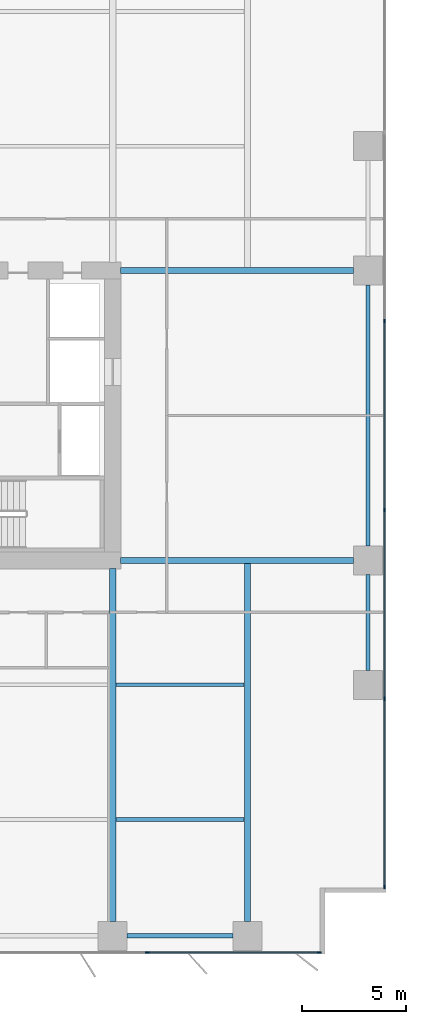
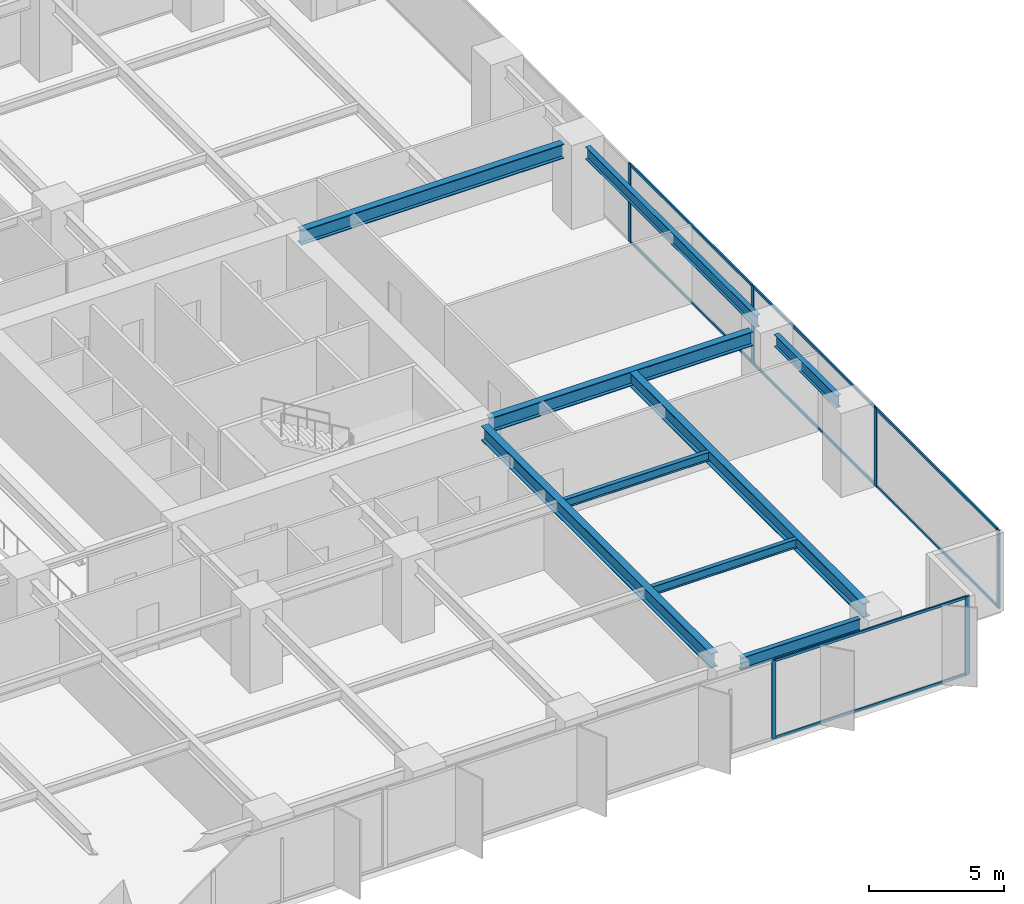
# One storey, part 10 of 20: 14 members, 9 beams, 2 elements without a shape of their own.
"""IFC4 building model written with IfcOpenShell, lengths in metres."""

from ifc_helpers import new_model, si_unit, direction, frame, origin, origin_2d, place, context, subcontext, project, spatial, rectangle, i_section, extrude, material, layer, layer_set, material_profile, profile_set, type_object, element, aggregate, save


model = new_model("IFC4")

# Units and contexts
model_context = context("Model", 3, precision=1e-05, world=origin(), true_north=direction((0.0, 1.0)))
body_context = subcontext(model_context, "Body", "Model", "MODEL_VIEW")
ifc_project = project(units=[si_unit("LENGTHUNIT", "METRE"), si_unit("AREAUNIT", "SQUARE_METRE"), si_unit("VOLUMEUNIT", "CUBIC_METRE"), si_unit("PLANEANGLEUNIT", "RADIAN"), si_unit("MASSUNIT", "GRAM", prefix="KILO")], contexts=[model_context])

# Site, building, storey
site_placement = place(None, origin())
site = spatial("IfcSite", under=ifc_project, at=site_placement, CompositionType="ELEMENT")
building_placement = place(site_placement, origin())
building = spatial("IfcBuilding", under=site, at=building_placement, Name="Putna Gate Headquarters", CompositionType="ELEMENT")
storey_placement = place(building_placement, frame((0.0, 0.0, 62.0)))
storey = spatial("IfcBuildingStorey", under=building, at=storey_placement, Name="L14", CompositionType="ELEMENT", Elevation=62.0)

# Beams
ifc_material_1 = material(Name="Steel S355J2", Category="steel")
ifc_material_profile_1 = material_profile(ifc_material_1, i_section(OverallWidth=0.300048828125, OverallDepth=0.64990234375, WebThickness=0.01611328125, FlangeThickness=0.031005859375, at=origin_2d()), Name="Steel S355J2")
ifc_profile_set_1 = profile_set([ifc_material_profile_1], Name="Steel S355J2")
beam_type_1 = type_object("IfcBeamType", Name="BM-GIRD-Z1-HEB650", PredefinedType="USERDEFINED", material=ifc_profile_set_1)
for number, where, z_axis, x_axis, name in (
    (1, (65.385009765625, 19.0, 3.22509765625), (1.0, 0.0, 0.0), (0.0, 1.0, 0.0), "L14 East Wing Girder Y19"),
    (2, (65.385009765625, 33.0, 3.22509765625), (1.0, 0.0, 0.0), (0.0, 1.0, 0.0), "L14 East Wing Girder Y33"),
):
    element("IfcBeam", number, at=place(storey_placement, frame(where, z_axis=z_axis, x_axis=x_axis)), inside=storey, type_object=beam_type_1, Name=name, ObjectType="GIRDER", PredefinedType="USERDEFINED", context=body_context, shape_type="SweptSolid", body=[
        extrude(i_section(OverallWidth=0.300048828125, OverallDepth=0.64990234375, WebThickness=0.01611328125, FlangeThickness=0.031005859375, at=origin_2d()), origin(), (0.0, 0.0, 1.0), 11.2470703125),
    ])
beam_1_placement = place(storey_placement, frame((65.0, 1.568115234375, 3.22509765625), z_axis=(0.0, 1.0, 0.0), x_axis=(-1.0, 0.0, 0.0)))
element("IfcBeam", 3, at=beam_1_placement, inside=storey, type_object=beam_type_1, Name="L14 South Primary Girder X65", ObjectType="GIRDER", PredefinedType="USERDEFINED", context=body_context, shape_type="SweptSolid", body=[
    extrude(i_section(OverallWidth=0.300048828125, OverallDepth=0.64990234375, WebThickness=0.01611328125, FlangeThickness=0.031005859375, at=origin_2d()), origin(), (0.0, 0.0, 1.0), 17.046875),
])
beam_2_placement = place(storey_placement, frame((71.5, 1.568115234375, 3.22509765625), z_axis=(0.0, 1.0, 0.0), x_axis=(-1.0, 0.0, 0.0)))
element("IfcBeam", 4, at=beam_2_placement, inside=storey, type_object=beam_type_1, Name="L14 South Primary Girder X71", ObjectType="GIRDER", PredefinedType="USERDEFINED", context=body_context, shape_type="SweptSolid", body=[
    extrude(i_section(OverallWidth=0.300048828125, OverallDepth=0.64990234375, WebThickness=0.01611328125, FlangeThickness=0.031005859375, at=origin_2d()), origin(), (0.0, 0.0, 1.0), 17.419921875),
])
ifc_material_profile_2 = material_profile(ifc_material_1, i_section(OverallWidth=0.179931640625, OverallDepth=0.39990234375, WebThickness=0.008544921875, FlangeThickness=0.013427734375, at=origin_2d()), Name="Steel S355J2")
ifc_profile_set_2 = profile_set([ifc_material_profile_2], Name="Steel S355J2")
beam_type_2 = type_object("IfcBeamType", Name="BM-SEC-Z1-IPE400", PredefinedType="BEAM", material=ifc_profile_set_2)
for number, where, z_axis, x_axis, name in (
    (5, (65.154052734375, 6.5, 3.35009765625), (1.0, 0.0, 0.0), (0.0, 1.0, 0.0), "L14 South Secondary Beam 10"),
    (6, (65.154052734375, 13.0, 3.35009765625), (1.0, 0.0, 0.0), (0.0, 1.0, 0.0), "L14 South Secondary Beam 10"),
):
    element("IfcBeam", number, at=place(storey_placement, frame(where, z_axis=z_axis, x_axis=x_axis)), inside=storey, type_object=beam_type_2, Name=name, PredefinedType="BEAM", context=body_context, shape_type="SweptSolid", body=[
        extrude(i_section(OverallWidth=0.179931640625, OverallDepth=0.39990234375, WebThickness=0.008544921875, FlangeThickness=0.013427734375, at=origin_2d()), origin(), (0.0, 0.0, 1.0), 6.19189453125),
    ])
ifc_material_profile_3 = material_profile(ifc_material_1, i_section(OverallWidth=0.2099609375, OverallDepth=0.550048828125, WebThickness=0.010986328125, FlangeThickness=0.01708984375, at=origin_2d()), Name="Steel S355J2")
ifc_profile_set_3 = profile_set([ifc_material_profile_3], Name="Steel S355J2")
beam_type_3 = type_object("IfcBeamType", Name="BM-SPAN-Z1-IPE550", PredefinedType="SPANDREL", material=ifc_profile_set_3)
beam_3_placement = place(storey_placement, frame((65.68798828125, 0.8798828125, 3.27490234375), z_axis=(1.0, 0.0, 0.0), x_axis=(0.0, 1.0, 0.0)))
element("IfcBeam", 7, at=beam_3_placement, inside=storey, type_object=beam_type_3, Name="L14 S Perimeter Spandrel 10", PredefinedType="SPANDREL", context=body_context, shape_type="SweptSolid", body=[
    extrude(i_section(OverallWidth=0.2099609375, OverallDepth=0.550048828125, WebThickness=0.010986328125, FlangeThickness=0.01708984375, at=origin_2d()), origin(), (0.0, 0.0, 1.0), 5.1240234375),
])
beam_4_placement = place(storey_placement, frame((77.320068359375, 13.68798828125, 3.27490234375), z_axis=(0.0, 1.0, 0.0), x_axis=(-1.0, 0.0, 0.0)))
element("IfcBeam", 8, at=beam_4_placement, inside=storey, type_object=beam_type_3, Name="L14 E End Spandrel 1", PredefinedType="SPANDREL", context=body_context, shape_type="SweptSolid", body=[
    extrude(i_section(OverallWidth=0.2099609375, OverallDepth=0.550048828125, WebThickness=0.010986328125, FlangeThickness=0.01708984375, at=origin_2d()), origin(), (0.0, 0.0, 1.0), 4.6240234375),
])
beam_5_placement = place(storey_placement, frame((77.320068359375, 19.68798828125, 3.27490234375), z_axis=(0.0, 1.0, 0.0), x_axis=(-1.0, 0.0, 0.0)))
element("IfcBeam", 9, at=beam_5_placement, inside=storey, type_object=beam_type_3, Name="L14 E End Spandrel 2", PredefinedType="SPANDREL", context=body_context, shape_type="SweptSolid", body=[
    extrude(i_section(OverallWidth=0.2099609375, OverallDepth=0.550048828125, WebThickness=0.010986328125, FlangeThickness=0.01708984375, at=origin_2d()), origin(), (0.0, 0.0, 1.0), 12.6240234375),
])

# Curtain wall, members
ifc_material_2 = material(Name="Anodised bronze aluminium curtain wall", Category="aluminium")
ifc_layer = layer(ifc_material_2, 0.179931640625)
ifc_layer_set = layer_set([ifc_layer], Name="Anodised bronze aluminium curtain wall")
curtain_wall_type = type_object("IfcCurtainWallType", Name="CW-SYS-Z1", PredefinedType="USERDEFINED", material=ifc_layer_set)
curtain_wall_1_placement = place(storey_placement, origin())
curtain_wall_1 = element("IfcCurtainWall", 10, at=curtain_wall_1_placement, inside=storey, type_object=curtain_wall_type, Name="L14 South East Curtain Wall", ObjectType="STICK CURTAIN WALL", PredefinedType="USERDEFINED")
ifc_material_3 = material(Name="Anodised bronze aluminium EN AW-6060", Category="aluminium")
ifc_material_profile_4 = material_profile(ifc_material_3, rectangle(XDim=0.070068359375, YDim=0.179931640625, at=origin_2d()), Name="Anodised bronze aluminium EN AW-6060")
ifc_profile_set_4 = profile_set([ifc_material_profile_4], Name="Anodised bronze aluminium EN AW-6060")
member_type_1 = type_object("IfcMemberType", Name="MULL-CWM-1", PredefinedType="MULLION", material=ifc_profile_set_4)
member_1_placement = place(storey_placement, frame((66.666748046875, 0.080078125, 0.0), z_axis=(0.0, 0.0, 1.0), x_axis=(0.0, 1.0, 0.0)))
member_1 = element("IfcMember", 11, at=member_1_placement, type_object=member_type_1, Name="CWS-1 mullion 3", PredefinedType="MULLION", context=body_context, shape_type="SweptSolid", body=[
    extrude(rectangle(XDim=0.070068359375, YDim=0.179931640625, at=origin_2d()), origin(), (0.0, 0.0, 1.0), 3.550048828125),
])
member_2_placement = place(storey_placement, frame((74.965087890625, 0.080078125, 0.0), z_axis=(0.0, 0.0, 1.0), x_axis=(0.0, 1.0, 0.0)))
member_2 = element("IfcMember", 12, at=member_2_placement, type_object=member_type_1, Name="CWS-1 mullion 4", PredefinedType="MULLION", context=body_context, shape_type="SweptSolid", body=[
    extrude(rectangle(XDim=0.070068359375, YDim=0.179931640625, at=origin_2d()), origin(), (0.0, 0.0, 1.0), 3.550048828125),
])

curtain_wall_2_placement = place(storey_placement, origin())
curtain_wall_2 = element("IfcCurtainWall", 13, at=curtain_wall_2_placement, inside=storey, type_object=curtain_wall_type, Name="L14 East Curtain Wall", ObjectType="STICK CURTAIN WALL", PredefinedType="USERDEFINED")
member_3_placement = place(storey_placement, frame((78.1201171875, 3.235107421875, 0.0), z_axis=(0.0, 0.0, 1.0), x_axis=(-1.0, 0.0, 0.0)))
member_3 = element("IfcMember", 14, at=member_3_placement, type_object=member_type_1, Name="CWS-1 mullion 1", PredefinedType="MULLION", context=body_context, shape_type="SweptSolid", body=[
    extrude(rectangle(XDim=0.070068359375, YDim=0.179931640625, at=origin_2d()), origin(), (0.0, 0.0, 1.0), 3.550048828125),
])
member_4_placement = place(storey_placement, frame((78.1201171875, 12.320068359375, 0.0), z_axis=(0.0, 0.0, 1.0), x_axis=(-1.0, 0.0, 0.0)))
member_4 = element("IfcMember", 15, at=member_4_placement, type_object=member_type_1, Name="CWS-1 mullion 2", PredefinedType="MULLION", context=body_context, shape_type="SweptSolid", body=[
    extrude(rectangle(XDim=0.070068359375, YDim=0.179931640625, at=origin_2d()), origin(), (0.0, 0.0, 1.0), 3.550048828125),
])
member_5_placement = place(storey_placement, frame((78.1201171875, 21.43994140625, 0.0), z_axis=(0.0, 0.0, 1.0), x_axis=(-1.0, 0.0, 0.0)))
member_5 = element("IfcMember", 16, at=member_5_placement, type_object=member_type_1, Name="CWS-1 mullion 3", PredefinedType="MULLION", context=body_context, shape_type="SweptSolid", body=[
    extrude(rectangle(XDim=0.070068359375, YDim=0.179931640625, at=origin_2d()), origin(), (0.0, 0.0, 1.0), 3.550048828125),
])
member_6_placement = place(storey_placement, frame((78.1201171875, 30.56005859375, 0.0), z_axis=(0.0, 0.0, 1.0), x_axis=(-1.0, 0.0, 0.0)))
member_6 = element("IfcMember", 17, at=member_6_placement, type_object=member_type_1, Name="CWS-1 mullion 4", PredefinedType="MULLION", context=body_context, shape_type="SweptSolid", body=[
    extrude(rectangle(XDim=0.070068359375, YDim=0.179931640625, at=origin_2d()), origin(), (0.0, 0.0, 1.0), 3.550048828125),
])

# Member
ifc_material_profile_5 = material_profile(ifc_material_3, rectangle(XDim=0.06494140625, YDim=0.1201171875, at=origin_2d()), Name="Anodised bronze aluminium EN AW-6060")
ifc_profile_set_5 = profile_set([ifc_material_profile_5], Name="Anodised bronze aluminium EN AW-6060")
member_type_2 = type_object("IfcMemberType", Name="TRAN-CWT-1", PredefinedType="USERDEFINED", material=ifc_profile_set_5)
member_7_placement = place(storey_placement, frame((66.70166015625, 0.080078125, 0.032470703125), z_axis=(1.0, 0.0, 0.0), x_axis=(0.0, 1.0, 0.0)))
member_7 = element("IfcMember", 18, at=member_7_placement, type_object=member_type_2, Name="CWS-1 transom 3.1", ObjectType="TRANSOM", PredefinedType="USERDEFINED", context=body_context, shape_type="SweptSolid", body=[
    extrude(rectangle(XDim=0.06494140625, YDim=0.1201171875, at=origin_2d()), origin(), (0.0, 0.0, 1.0), 8.228271484375),
])

member_8_placement = place(storey_placement, frame((66.70166015625, 0.080078125, 3.517578125), z_axis=(1.0, 0.0, 0.0), x_axis=(0.0, 1.0, 0.0)))
member_8 = element("IfcMember", 19, at=member_8_placement, type_object=member_type_2, Name="CWS-1 transom 3.2", ObjectType="TRANSOM", PredefinedType="USERDEFINED", context=body_context, shape_type="SweptSolid", body=[
    extrude(rectangle(XDim=0.06494140625, YDim=0.1201171875, at=origin_2d()), origin(), (0.0, 0.0, 1.0), 8.228271484375),
])

aggregate(curtain_wall_1, [member_1, member_2, member_7, member_8])

member_9_placement = place(storey_placement, frame((78.1201171875, 3.27001953125, 0.032470703125), z_axis=(0.0, 1.0, 0.0), x_axis=(-1.0, 0.0, 0.0)))
member_9 = element("IfcMember", 20, at=member_9_placement, type_object=member_type_2, Name="CWS-1 transom 1.1", ObjectType="TRANSOM", PredefinedType="USERDEFINED", context=body_context, shape_type="SweptSolid", body=[
    extrude(rectangle(XDim=0.06494140625, YDim=0.1201171875, at=origin_2d()), origin(), (0.0, 0.0, 1.0), 9.014892578125),
])

member_10_placement = place(storey_placement, frame((78.1201171875, 3.27001953125, 3.517578125), z_axis=(0.0, 1.0, 0.0), x_axis=(-1.0, 0.0, 0.0)))
member_10 = element("IfcMember", 21, at=member_10_placement, type_object=member_type_2, Name="CWS-1 transom 1.2", ObjectType="TRANSOM", PredefinedType="USERDEFINED", context=body_context, shape_type="SweptSolid", body=[
    extrude(rectangle(XDim=0.06494140625, YDim=0.1201171875, at=origin_2d()), origin(), (0.0, 0.0, 1.0), 9.014892578125),
])

member_11_placement = place(storey_placement, frame((78.1201171875, 12.35498046875, 0.032470703125), z_axis=(0.0, 1.0, 0.0), x_axis=(-1.0, 0.0, 0.0)))
member_11 = element("IfcMember", 22, at=member_11_placement, type_object=member_type_2, Name="CWS-1 transom 2.1", ObjectType="TRANSOM", PredefinedType="USERDEFINED", context=body_context, shape_type="SweptSolid", body=[
    extrude(rectangle(XDim=0.06494140625, YDim=0.1201171875, at=origin_2d()), origin(), (0.0, 0.0, 1.0), 9.050048828125),
])

member_12_placement = place(storey_placement, frame((78.1201171875, 12.35498046875, 3.517578125), z_axis=(0.0, 1.0, 0.0), x_axis=(-1.0, 0.0, 0.0)))
member_12 = element("IfcMember", 23, at=member_12_placement, type_object=member_type_2, Name="CWS-1 transom 2.2", ObjectType="TRANSOM", PredefinedType="USERDEFINED", context=body_context, shape_type="SweptSolid", body=[
    extrude(rectangle(XDim=0.06494140625, YDim=0.1201171875, at=origin_2d()), origin(), (0.0, 0.0, 1.0), 9.050048828125),
])

member_13_placement = place(storey_placement, frame((78.1201171875, 21.47509765625, 0.032470703125), z_axis=(0.0, 1.0, 0.0), x_axis=(-1.0, 0.0, 0.0)))
member_13 = element("IfcMember", 24, at=member_13_placement, type_object=member_type_2, Name="CWS-1 transom 3.1", ObjectType="TRANSOM", PredefinedType="USERDEFINED", context=body_context, shape_type="SweptSolid", body=[
    extrude(rectangle(XDim=0.06494140625, YDim=0.1201171875, at=origin_2d()), origin(), (0.0, 0.0, 1.0), 9.0498046875),
])

member_14_placement = place(storey_placement, frame((78.1201171875, 21.47509765625, 3.517578125), z_axis=(0.0, 1.0, 0.0), x_axis=(-1.0, 0.0, 0.0)))
member_14 = element("IfcMember", 25, at=member_14_placement, type_object=member_type_2, Name="CWS-1 transom 3.2", ObjectType="TRANSOM", PredefinedType="USERDEFINED", context=body_context, shape_type="SweptSolid", body=[
    extrude(rectangle(XDim=0.06494140625, YDim=0.1201171875, at=origin_2d()), origin(), (0.0, 0.0, 1.0), 9.0498046875),
])

aggregate(curtain_wall_2, [member_3, member_4, member_5, member_6, member_9, member_10, member_11, member_12, member_13, member_14])

save(model, "model.ifc")
